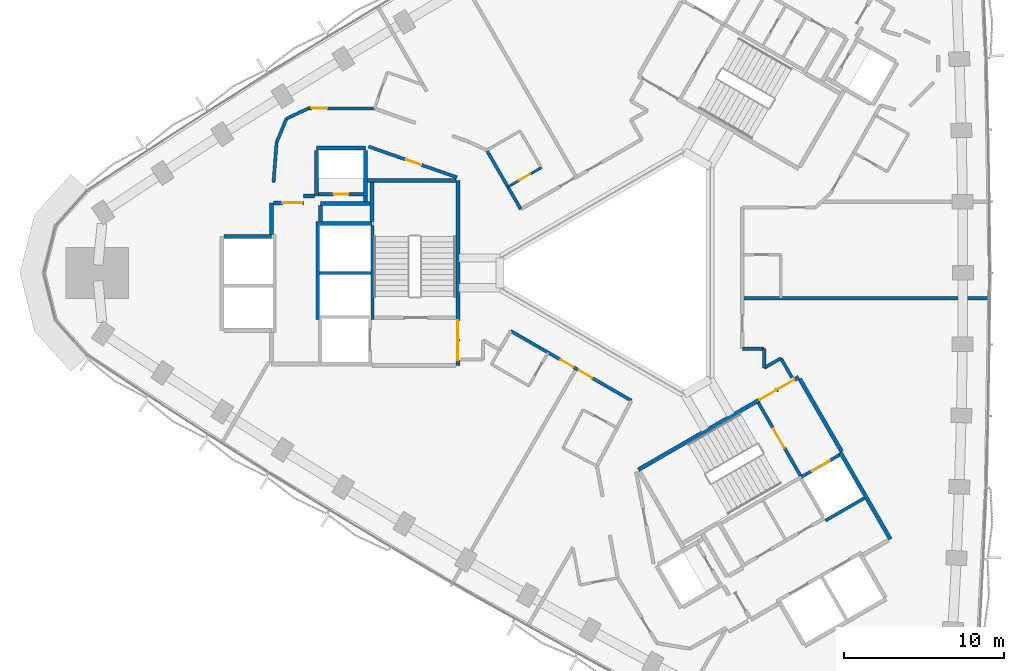
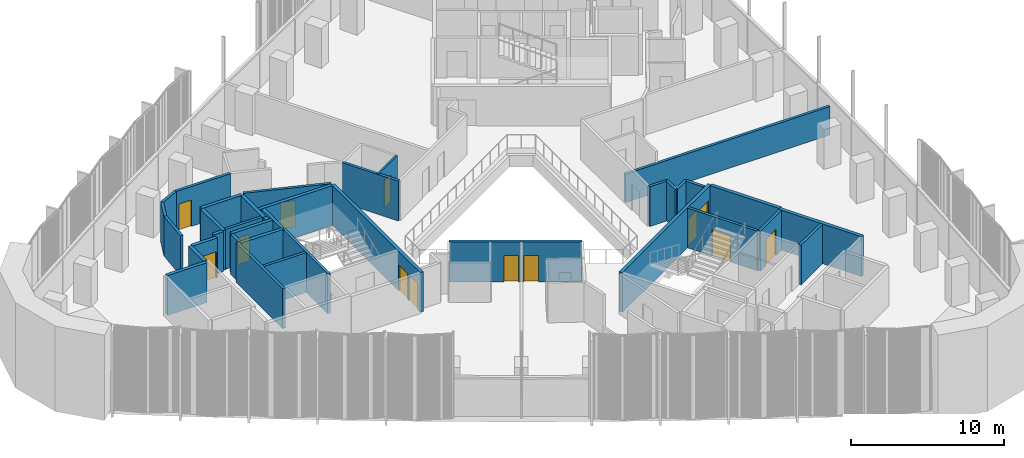
# One storey, part 9 of 15: 37 walls, 13 doors, 13 openings.
"""IFC4 building model written with IfcOpenShell, lengths in metres."""

from ifc_helpers import new_model, si_unit, direction, frame, frame_2d, origin, place, context, subcontext, project, spatial, rectangle, extrude, material, layer, layer_set, type_object, element, fill, save


model = new_model("IFC4")

# Units and contexts
model_context = context("Model", 3, precision=1e-05, world=origin(), true_north=direction((0.0, 1.0)))
body_context = subcontext(model_context, "Body", "Model", "MODEL_VIEW")
ifc_project = project(units=[si_unit("LENGTHUNIT", "METRE"), si_unit("AREAUNIT", "SQUARE_METRE"), si_unit("VOLUMEUNIT", "CUBIC_METRE"), si_unit("PLANEANGLEUNIT", "RADIAN"), si_unit("MASSUNIT", "GRAM", prefix="KILO")], contexts=[model_context])

# Site, building, storey
site_placement = place(None, origin())
site = spatial("IfcSite", under=ifc_project, at=site_placement, CompositionType="ELEMENT")
building_placement = place(site_placement, origin())
building = spatial("IfcBuilding", under=site, at=building_placement, Name="Tamra Quay Hotel Tower", CompositionType="ELEMENT")
storey_placement = place(building_placement, frame((0.0, 0.0, 111.800048828125)))
storey = spatial("IfcBuildingStorey", under=building, at=storey_placement, Name="L27", CompositionType="ELEMENT", Elevation=111.800048828125)

# Walls
ifc_material_1 = material(Name="Concrete M70", Category="concrete")
ifc_layer_1 = layer(ifc_material_1, 0.199951171875)
ifc_layer_set_1 = layer_set([ifc_layer_1], Name="Concrete M70 core wall 200")
wall_type_1 = type_object("IfcWallType", Name="Concrete M70 core wall 200", PredefinedType="SHEAR", material=ifc_layer_set_1)
wall_1_placement = place(storey_placement, frame((-16.162109375, 2.95068359375, 0.0), z_axis=(0.0, 0.0, 1.0), x_axis=(0.0, -1.0, 0.0)))
element("IfcWall", 1, at=wall_1_placement, inside=storey, type_object=wall_type_1, Name="CW2", PredefinedType="SHEAR", context=body_context, shape_type="SweptSolid", body=[
    extrude(rectangle(XDim=5.850830078125, YDim=0.199951171875, at=frame_2d((2.92529296875, 0.0))), origin(), (0.0, 0.0, 1.0), 3.175048828125),
])
wall_2_placement = place(storey_placement, frame((-19.5625, -2.900146484375, 0.0), z_axis=(0.0, 0.0, 1.0), x_axis=(0.0, 1.0, 0.0)))
element("IfcWall", 2, at=wall_2_placement, inside=storey, type_object=wall_type_1, Name="CW2", PredefinedType="SHEAR", context=body_context, shape_type="SweptSolid", body=[
    extrude(rectangle(XDim=6.100341796875, YDim=0.199951171875, at=frame_2d((3.05029296875, 0.0))), origin(), (0.0, 0.0, 1.0), 3.175048828125),
])
wall_3_placement = place(storey_placement, frame((-16.26318359375, 0.0, 0.0), z_axis=(0.0, 0.0, 1.0), x_axis=(-1.0, 0.0, 0.0)))
element("IfcWall", 3, at=wall_3_placement, inside=storey, type_object=wall_type_1, Name="CW2", PredefinedType="SHEAR", context=body_context, shape_type="SweptSolid", body=[
    extrude(rectangle(XDim=3.1982421875, YDim=0.199951171875, at=frame_2d((1.59912109375, 0.0))), origin(), (0.0, 0.0, 1.0), 3.175048828125),
])

# Wall, opening, door
wall_4_placement = place(storey_placement, frame((-19.51123046875, 4.91015625, 0.0), z_axis=(0.0, 0.0, 1.0), x_axis=(1.0, 0.0, 0.0)))
wall_4 = element("IfcWall", 4, at=wall_4_placement, inside=storey, type_object=wall_type_1, Name="CW2", PredefinedType="SHEAR", context=body_context, shape_type="SweptSolid", body=[
    extrude(rectangle(XDim=2.7978515625, YDim=0.199951171875, at=frame_2d((1.39892578125, 0.0))), origin(), (0.0, 0.0, 1.0), 3.175048828125),
])
opening_1_placement = place(wall_4_placement, frame((0.948974609375, 0.0, 0.0)))
opening_1 = element("IfcOpeningElement", 5, at=opening_1_placement, cuts=wall_4, Name="Opening D1", PredefinedType="OPENING", context=body_context, shape_type="SweptSolid", body=[
    extrude(rectangle(XDim=0.89990234375, YDim=2.10009765625, at=frame_2d((0.449951171875, 1.050048828125))), frame((0.0, 0.10986328125, 0.0), z_axis=(0.0, -1.0, 0.0), x_axis=(1.0, 0.0, 0.0)), (0.0, 0.0, 1.0), 0.219970703125),
])
ifc_material_2 = material(Name="Core door D1 900x2100 LH")
door_type_1 = type_object("IfcDoorType", Name="Core door D1 900x2100 LH", OperationType="NOTDEFINED", PredefinedType="DOOR", material=ifc_material_2)
door_1_placement = place(opening_1_placement, origin())
door_1 = element("IfcDoor", 6, at=door_1_placement, inside=storey, type_object=door_type_1, Name="D1", OperationType="SINGLE_SWING_LEFT", OverallHeight=2.10009765625, OverallWidth=0.89990234375, PredefinedType="DOOR", context=body_context, shape_type="SweptSolid", body=[
    extrude(rectangle(XDim=0.89990234375, YDim=2.10009765625, at=frame_2d((0.449951171875, 1.050048828125))), frame((0.0, 0.02490234375, 0.0), z_axis=(0.0, -1.0, 0.0), x_axis=(1.0, 0.0, 0.0)), (0.0, 0.0, 1.0), 0.050048828125),
])
fill(opening_1, door_1)

wall_5_placement = place(storey_placement, frame((7.906494140625, -8.094482421875, 0.0), z_axis=(0.0, 0.0, 1.0), x_axis=(0.500024287448, -0.866011380966, 0.0)))
wall_5 = element("IfcWall", 7, at=wall_5_placement, inside=storey, type_object=wall_type_1, Name="CW2", PredefinedType="SHEAR", context=body_context, shape_type="SweptSolid", body=[
    extrude(rectangle(XDim=5.251220703125, YDim=0.199951171875, at=frame_2d((2.62548828125, 0.0))), origin(), (0.0, 0.0, 1.0), 3.175048828125),
])
opening_2_placement = place(wall_5_placement, frame((1.84912109375, 0.0, 0.0)))
opening_2 = element("IfcOpeningElement", 8, at=opening_2_placement, cuts=wall_5, Name="Opening FD2", PredefinedType="OPENING", context=body_context, shape_type="SweptSolid", body=[
    extrude(rectangle(XDim=1.39990234375, YDim=2.10009765625, at=frame_2d((0.699951171875, 1.050048828125))), frame((0.0, 0.10986328125, 0.0), z_axis=(0.0, -1.0, 0.0), x_axis=(1.0, 0.0, 0.0)), (0.0, 0.0, 1.0), 0.219970703125),
])
ifc_material_3 = material(Name="Core door FD2 1400x2100 LH")
door_type_2 = type_object("IfcDoorType", Name="Core door FD2 1400x2100 LH", OperationType="NOTDEFINED", PredefinedType="DOOR", material=ifc_material_3)
door_2_placement = place(opening_2_placement, origin())
door_2 = element("IfcDoor", 9, at=door_2_placement, inside=storey, type_object=door_type_2, Name="FD2", OperationType="SINGLE_SWING_LEFT", OverallHeight=2.10009765625, OverallWidth=1.39990234375, PredefinedType="DOOR", context=body_context, shape_type="SweptSolid", body=[
    extrude(rectangle(XDim=1.39990234375, YDim=2.10009765625, at=frame_2d((0.699951171875, 1.050048828125))), frame((0.0, 0.02490234375, 0.0), z_axis=(0.0, -1.0, 0.0), x_axis=(1.0, 0.0, 0.0)), (0.0, 0.0, 1.0), 0.050048828125),
])
fill(opening_2, door_2)

wall_6_placement = place(storey_placement, frame((10.587158203125, -12.72314453125, 0.0), z_axis=(0.0, 0.0, 1.0), x_axis=(0.866037306777, 0.499979382845, 0.0)))
wall_6 = element("IfcWall", 10, at=wall_6_placement, inside=storey, type_object=wall_type_1, Name="CW2", PredefinedType="SHEAR", context=body_context, shape_type="SweptSolid", body=[
    extrude(rectangle(XDim=2.74169921875, YDim=0.199951171875, at=frame_2d((1.370849609375, 0.0))), origin(), (0.0, 0.0, 1.0), 3.175048828125),
])
opening_3_placement = place(wall_6_placement, frame((0.742919921875, 0.0, 0.0)))
opening_3 = element("IfcOpeningElement", 11, at=opening_3_placement, cuts=wall_6, Name="Opening LD", PredefinedType="OPENING", context=body_context, shape_type="SweptSolid", body=[
    extrude(rectangle(XDim=1.300048828125, YDim=2.10009765625, at=frame_2d((0.64990234375, 1.050048828125))), frame((0.0, 0.10986328125, 0.0), z_axis=(0.0, -1.0, 0.0), x_axis=(1.0, 0.0, 0.0)), (0.0, 0.0, 1.0), 0.219970703125),
])
ifc_material_4 = material(Name="Landing door LD 1300 sliding to left")
door_type_3 = type_object("IfcDoorType", Name="Landing door LD 1300 sliding to left", OperationType="NOTDEFINED", PredefinedType="DOOR", material=ifc_material_4)
door_3_placement = place(opening_3_placement, origin())
door_3 = element("IfcDoor", 12, at=door_3_placement, inside=storey, type_object=door_type_3, Name="LD", OperationType="SLIDING_TO_LEFT", OverallHeight=2.10009765625, OverallWidth=1.300048828125, PredefinedType="DOOR", context=body_context, shape_type="SweptSolid", body=[
    extrude(rectangle(XDim=1.300048828125, YDim=2.10009765625, at=frame_2d((0.64990234375, 1.050048828125))), frame((0.0, 0.02490234375, 0.0), z_axis=(0.0, -1.0, 0.0), x_axis=(1.0, 0.0, 0.0)), (0.0, 0.0, 1.0), 0.050048828125),
])
fill(opening_3, door_3)

# Wall
wall_7_placement = place(storey_placement, frame((14.51171875, -14.037109375, 0.0), z_axis=(0.0, 0.0, 1.0), x_axis=(-0.866044696403, -0.499966582715, 0.0)))
element("IfcWall", 13, at=wall_7_placement, inside=storey, type_object=wall_type_1, Name="CW2", PredefinedType="SHEAR", context=body_context, shape_type="SweptSolid", body=[
    extrude(rectangle(XDim=2.799072265625, YDim=0.199951171875, at=frame_2d((1.3994140625, 0.0))), origin(), (0.0, 0.0, 1.0), 3.175048828125),
])

# Wall, openings, doors
ifc_layer_2 = layer(ifc_material_1, 0.25)
ifc_layer_set_2 = layer_set([ifc_layer_2], Name="Concrete M70 core wall 250")
wall_type_2 = type_object("IfcWallType", Name="Concrete M70 core wall 250", PredefinedType="SHEAR", material=ifc_layer_set_2)
wall_8_placement = place(storey_placement, frame((-10.83740234375, 5.77490234375, 0.0), z_axis=(0.0, 0.0, 1.0), x_axis=(0.0, -1.0, 0.0)))
wall_8 = element("IfcWall", 14, at=wall_8_placement, inside=storey, type_object=wall_type_2, Name="CW1", PredefinedType="SHEAR", context=body_context, shape_type="SweptSolid", body=[
    extrude(rectangle(XDim=11.5498046875, YDim=0.25, at=frame_2d((5.77490234375, 0.0))), origin(), (0.0, 0.0, 1.0), 3.175048828125),
])
opening_4_placement = place(wall_8_placement, frame((10.02490234375, 0.0, 0.0)))
opening_4 = element("IfcOpeningElement", 15, at=opening_4_placement, cuts=wall_8, Name="Opening FD1", PredefinedType="OPENING", context=body_context, shape_type="SweptSolid", body=[
    extrude(rectangle(XDim=1.199951171875, YDim=2.10009765625, at=frame_2d((0.60009765625, 1.050048828125))), frame((0.0, 0.135009765625, 0.0), z_axis=(0.0, -1.0, 0.0), x_axis=(1.0, 0.0, 0.0)), (0.0, 0.0, 1.0), 0.27001953125),
])
opening_5_placement = place(wall_8_placement, frame((8.72509765625, 0.0, 0.0)))
opening_5 = element("IfcOpeningElement", 16, at=opening_5_placement, cuts=wall_8, Name="Opening FD1", PredefinedType="OPENING", context=body_context, shape_type="SweptSolid", body=[
    extrude(rectangle(XDim=1.199951171875, YDim=2.10009765625, at=frame_2d((0.60009765625, 1.050048828125))), frame((0.0, 0.135009765625, 0.0), z_axis=(0.0, -1.0, 0.0), x_axis=(1.0, 0.0, 0.0)), (0.0, 0.0, 1.0), 0.27001953125),
])
ifc_material_5 = material(Name="Core door FD1 1200x2100 LH")
door_type_4 = type_object("IfcDoorType", Name="Core door FD1 1200x2100 LH", OperationType="NOTDEFINED", PredefinedType="DOOR", material=ifc_material_5)
door_4_placement = place(opening_4_placement, origin())
door_4 = element("IfcDoor", 17, at=door_4_placement, inside=storey, type_object=door_type_4, Name="FD1", OperationType="SINGLE_SWING_LEFT", OverallHeight=2.10009765625, OverallWidth=1.199951171875, PredefinedType="DOOR", context=body_context, shape_type="SweptSolid", body=[
    extrude(rectangle(XDim=1.199951171875, YDim=2.10009765625, at=frame_2d((0.60009765625, 1.050048828125))), frame((0.0, 0.02490234375, 0.0), z_axis=(0.0, -1.0, 0.0), x_axis=(1.0, 0.0, 0.0)), (0.0, 0.0, 1.0), 0.050048828125),
])
fill(opening_4, door_4)
ifc_material_6 = material(Name="Core door FD1 1200x2100 RH")
door_type_5 = type_object("IfcDoorType", Name="Core door FD1 1200x2100 RH", OperationType="NOTDEFINED", PredefinedType="DOOR", material=ifc_material_6)
door_5_placement = place(opening_5_placement, origin())
door_5 = element("IfcDoor", 18, at=door_5_placement, inside=storey, type_object=door_type_5, Name="FD1", OperationType="SINGLE_SWING_RIGHT", OverallHeight=2.10009765625, OverallWidth=1.199951171875, PredefinedType="DOOR", context=body_context, shape_type="SweptSolid", body=[
    extrude(rectangle(XDim=1.199951171875, YDim=2.10009765625, at=frame_2d((0.60009765625, 1.050048828125))), frame((0.0, 0.02490234375, 0.0), z_axis=(0.0, -1.0, 0.0), x_axis=(1.0, 0.0, 0.0)), (0.0, 0.0, 1.0), 0.050048828125),
])
fill(opening_5, door_5)

# Walls
wall_9_placement = place(storey_placement, frame((-16.47216796875, 5.77490234375, 0.0), z_axis=(0.0, 0.0, 1.0), x_axis=(1.0, 0.0, 0.0)))
element("IfcWall", 19, at=wall_9_placement, inside=storey, type_object=wall_type_2, Name="CW1", PredefinedType="SHEAR", context=body_context, shape_type="SweptSolid", body=[
    extrude(rectangle(XDim=5.509521484375, YDim=0.25, at=frame_2d((2.7548828125, 0.0))), origin(), (0.0, 0.0, 1.0), 3.175048828125),
])
wall_10_placement = place(storey_placement, frame((-19.38720703125, 3.074951171875, 0.0), z_axis=(0.0, 0.0, 1.0), x_axis=(1.0, 0.0, 0.0)))
element("IfcWall", 20, at=wall_10_placement, inside=storey, type_object=wall_type_2, Name="CW1", PredefinedType="SHEAR", context=body_context, shape_type="SweptSolid", body=[
    extrude(rectangle(XDim=3.199951171875, YDim=0.25, at=frame_2d((1.60009765625, 0.0))), origin(), (0.0, 0.0, 1.0), 3.175048828125),
])
wall_11_placement = place(storey_placement, frame((-25.411865234375, 2.27490234375, 0.0), z_axis=(0.0, 0.0, 1.0), x_axis=(1.0, 0.0, 0.0)))
element("IfcWall", 21, at=wall_11_placement, inside=storey, type_object=wall_type_2, Name="CW1", PredefinedType="SHEAR", context=body_context, shape_type="SweptSolid", body=[
    extrude(rectangle(XDim=2.974609375, YDim=0.25, at=frame_2d((1.4873046875, 0.0))), origin(), (0.0, 0.0, 1.0), 3.175048828125),
])
wall_12_placement = place(storey_placement, frame((-19.63720703125, 7.77490234375, 0.0), z_axis=(0.0, 0.0, 1.0), x_axis=(1.0, 0.0, 0.0)))
element("IfcWall", 22, at=wall_12_placement, inside=storey, type_object=wall_type_2, Name="CW1", PredefinedType="SHEAR", context=body_context, shape_type="SweptSolid", body=[
    extrude(rectangle(XDim=3.0498046875, YDim=0.25, at=frame_2d((1.52490234375, 0.0))), origin(), (0.0, 0.0, 1.0), 3.175048828125),
])
for number, where, z_axis, x_axis, name in (
    (23, (-16.58740234375, 7.649658203125, 0.0), (0.0, 0.0, 1.0), (0.0, -1.0, 0.0), "CW1"),
    (24, (-19.63720703125, 4.784912109375, 0.0), (0.0, 0.0, 1.0), (0.0, 1.0, 0.0), "CW1"),
):
    element("IfcWall", number, at=place(storey_placement, frame(where, z_axis=z_axis, x_axis=x_axis)), inside=storey, type_object=wall_type_2, Name=name, PredefinedType="SHEAR", context=body_context, shape_type="SweptSolid", body=[
        extrude(rectangle(XDim=2.86474609375, YDim=0.25, at=frame_2d((1.432373046875, 0.0))), origin(), (0.0, 0.0, 1.0), 3.175048828125),
    ])
wall_13_placement = place(storey_placement, frame((-16.30224609375, 4.31494140625, 0.0), z_axis=(0.0, 0.0, 1.0), x_axis=(-1.0, 0.0, 0.0)))
element("IfcWall", 25, at=wall_13_placement, inside=storey, type_object=wall_type_2, Name="CW1", PredefinedType="SHEAR", context=body_context, shape_type="SweptSolid", body=[
    extrude(rectangle(XDim=3.0849609375, YDim=0.25, at=frame_2d((1.54248046875, 0.0))), origin(), (0.0, 0.0, 1.0), 3.175048828125),
])
wall_14_placement = place(storey_placement, frame((-16.187255859375, 3.200439453125, 0.0), z_axis=(0.0, 0.0, 1.0), x_axis=(0.0, 1.0, 0.0)))
element("IfcWall", 26, at=wall_14_placement, inside=storey, type_object=wall_type_2, Name="CW1", PredefinedType="SHEAR", context=body_context, shape_type="SweptSolid", body=[
    extrude(rectangle(XDim=2.44921875, YDim=0.25, at=frame_2d((1.224609375, 0.0))), origin(), (0.0, 0.0, 1.0), 3.175048828125),
])
wall_15_placement = place(storey_placement, frame((-22.437255859375, 2.400390625, 0.0), z_axis=(0.0, 0.0, 1.0), x_axis=(0.0, 1.0, 0.0)))
element("IfcWall", 27, at=wall_15_placement, inside=storey, type_object=wall_type_2, Name="CW1", PredefinedType="SHEAR", context=body_context, shape_type="SweptSolid", body=[
    extrude(rectangle(XDim=1.974609375, YDim=0.25, at=frame_2d((0.9873046875, 0.0))), origin(), (0.0, 0.0, 1.0), 3.175048828125),
])

# Wall, opening, door
wall_16_placement = place(storey_placement, frame((-22.311767578125, 4.375, 0.0), z_axis=(0.0, 0.0, 1.0), x_axis=(1.0, 0.0, 0.0)))
wall_16 = element("IfcWall", 28, at=wall_16_placement, inside=storey, type_object=wall_type_2, Name="CW1", PredefinedType="SHEAR", context=body_context, shape_type="SweptSolid", body=[
    extrude(rectangle(XDim=1.864501953125, YDim=0.25, at=frame_2d((0.93212890625, 0.0))), origin(), (0.0, 0.0, 1.0), 3.175048828125),
])
opening_6_placement = place(wall_16_placement, frame((0.53466796875, 0.0, 0.0)))
opening_6 = element("IfcOpeningElement", 29, at=opening_6_placement, cuts=wall_16, Name="Opening FD3", PredefinedType="OPENING", context=body_context, shape_type="SweptSolid", body=[
    extrude(rectangle(XDim=1.25, YDim=2.10009765625, at=frame_2d((0.625, 1.050048828125))), frame((0.0, 0.135009765625, 0.0), z_axis=(0.0, -1.0, 0.0), x_axis=(1.0, 0.0, 0.0)), (0.0, 0.0, 1.0), 0.27001953125),
])
ifc_material_7 = material(Name="Core door FD3 1250x2100 LH")
door_type_6 = type_object("IfcDoorType", Name="Core door FD3 1250x2100 LH", OperationType="NOTDEFINED", PredefinedType="DOOR", material=ifc_material_7)
door_6_placement = place(opening_6_placement, origin())
door_6 = element("IfcDoor", 30, at=door_6_placement, inside=storey, type_object=door_type_6, Name="FD3", OperationType="SINGLE_SWING_LEFT", OverallHeight=2.10009765625, OverallWidth=1.25, PredefinedType="DOOR", context=body_context, shape_type="SweptSolid", body=[
    extrude(rectangle(XDim=1.25, YDim=2.10009765625, at=frame_2d((0.625, 1.050048828125))), frame((0.0, 0.02490234375, 0.0), z_axis=(0.0, -1.0, 0.0), x_axis=(1.0, 0.0, 0.0)), (0.0, 0.0, 1.0), 0.050048828125),
])
fill(opening_6, door_6)

# Walls
wall_17_placement = place(storey_placement, frame((-19.38720703125, 4.189697265625, 0.0), z_axis=(0.0, 0.0, 1.0), x_axis=(0.0, -1.0, 0.0)))
element("IfcWall", 31, at=wall_17_placement, inside=storey, type_object=wall_type_2, Name="CW1", PredefinedType="SHEAR", context=body_context, shape_type="SweptSolid", body=[
    extrude(rectangle(XDim=0.9892578125, YDim=0.25, at=frame_2d((0.49462890625, 0.0))), origin(), (0.0, 0.0, 1.0), 3.175048828125),
])
wall_18_placement = place(storey_placement, frame((-20.447265625, 4.784912109375, 0.0), z_axis=(0.0, 0.0, 1.0), x_axis=(1.0, 0.0, 0.0)))
element("IfcWall", 32, at=wall_18_placement, inside=storey, type_object=wall_type_2, Name="CW1", PredefinedType="SHEAR", context=body_context, shape_type="SweptSolid", body=[
    extrude(rectangle(XDim=0.6845703125, YDim=0.25, at=frame_2d((0.34228515625, 0.0))), origin(), (0.0, 0.0, 1.0), 3.175048828125),
])
wall_19_placement = place(storey_placement, frame((-16.577392578125, 4.784912109375, 0.0), z_axis=(0.0, 0.0, 1.0), x_axis=(0.0, -1.0, 0.0)))
element("IfcWall", 33, at=wall_19_placement, inside=storey, type_object=wall_type_2, Name="CW1", PredefinedType="SHEAR", context=body_context, shape_type="SweptSolid", body=[
    extrude(rectangle(XDim=0.344482421875, YDim=0.25, at=frame_2d((0.17236328125, 0.0))), origin(), (0.0, 0.0, 1.0), 3.175048828125),
])

# Wall, openings, doors
wall_20_placement = place(storey_placement, frame((0.417236328125, -12.27294921875, 0.0), z_axis=(0.0, 0.0, 1.0), x_axis=(0.866021906294, 0.500006057782, 0.0)))
wall_20 = element("IfcWall", 34, at=wall_20_placement, inside=storey, type_object=wall_type_2, Name="CW1", PredefinedType="SHEAR", context=body_context, shape_type="SweptSolid", body=[
    extrude(rectangle(XDim=11.550048828125, YDim=0.25, at=frame_2d((5.77490234375, 0.0))), origin(), (0.0, 0.0, 1.0), 3.175048828125),
])
opening_7_placement = place(wall_20_placement, frame((10.024658203125, 0.0, 0.0)))
opening_7 = element("IfcOpeningElement", 35, at=opening_7_placement, cuts=wall_20, Name="Opening FD1", PredefinedType="OPENING", context=body_context, shape_type="SweptSolid", body=[
    extrude(rectangle(XDim=1.199951171875, YDim=2.10009765625, at=frame_2d((0.60009765625, 1.050048828125))), frame((0.0, 0.135009765625, 0.0), z_axis=(0.0, -1.0, 0.0), x_axis=(1.0, 0.0, 0.0)), (0.0, 0.0, 1.0), 0.27001953125),
])
opening_8_placement = place(wall_20_placement, frame((8.724609375, 0.0, 0.0)))
opening_8 = element("IfcOpeningElement", 36, at=opening_8_placement, cuts=wall_20, Name="Opening FD1", PredefinedType="OPENING", context=body_context, shape_type="SweptSolid", body=[
    extrude(rectangle(XDim=1.199951171875, YDim=2.10009765625, at=frame_2d((0.60009765625, 1.050048828125))), frame((0.0, 0.135009765625, 0.0), z_axis=(0.0, -1.0, 0.0), x_axis=(1.0, 0.0, 0.0)), (0.0, 0.0, 1.0), 0.27001953125),
])
door_7_placement = place(opening_7_placement, origin())
door_7 = element("IfcDoor", 37, at=door_7_placement, inside=storey, type_object=door_type_4, Name="FD1", OperationType="SINGLE_SWING_LEFT", OverallHeight=2.10009765625, OverallWidth=1.199951171875, PredefinedType="DOOR", context=body_context, shape_type="SweptSolid", body=[
    extrude(rectangle(XDim=1.199951171875, YDim=2.10009765625, at=frame_2d((0.60009765625, 1.050048828125))), frame((0.0, 0.02490234375, 0.0), z_axis=(0.0, -1.0, 0.0), x_axis=(1.0, 0.0, 0.0)), (0.0, 0.0, 1.0), 0.050048828125),
])
fill(opening_7, door_7)
door_8_placement = place(opening_8_placement, origin())
door_8 = element("IfcDoor", 38, at=door_8_placement, inside=storey, type_object=door_type_5, Name="FD1", OperationType="SINGLE_SWING_RIGHT", OverallHeight=2.10009765625, OverallWidth=1.199951171875, PredefinedType="DOOR", context=body_context, shape_type="SweptSolid", body=[
    extrude(rectangle(XDim=1.199951171875, YDim=2.10009765625, at=frame_2d((0.60009765625, 1.050048828125))), frame((0.0, 0.02490234375, 0.0), z_axis=(0.0, -1.0, 0.0), x_axis=(1.0, 0.0, 0.0)), (0.0, 0.0, 1.0), 0.050048828125),
])
fill(opening_8, door_8)

# Walls
wall_21_placement = place(storey_placement, frame((13.00830078125, -11.18115234375, 0.0), z_axis=(0.0, 0.0, 1.0), x_axis=(0.500004234368, -0.866022959057, 0.0)))
element("IfcWall", 39, at=wall_21_placement, inside=storey, type_object=wall_type_2, Name="CW1", PredefinedType="SHEAR", context=body_context, shape_type="SweptSolid", body=[
    extrude(rectangle(XDim=6.25, YDim=0.25, at=frame_2d((3.125, 0.0))), origin(), (0.0, 0.0, 1.0), 3.175048828125),
])
wall_22_placement = place(storey_placement, frame((10.482666015625, -6.6064453125, 0.0), z_axis=(0.0, 0.0, 1.0), x_axis=(0.49999885962, -0.866026062182, 0.0)))
element("IfcWall", 40, at=wall_22_placement, inside=storey, type_object=wall_type_2, Name="CW1", PredefinedType="SHEAR", context=body_context, shape_type="SweptSolid", body=[
    extrude(rectangle(XDim=5.224609375, YDim=0.25, at=frame_2d((2.6123046875, 0.0))), origin(), (0.0, 0.0, 1.0), 3.175048828125),
])
ifc_material_8 = material(Name="Partition corridor wall")
ifc_layer_3 = layer(ifc_material_8, 0.199951171875)
ifc_layer_set_3 = layer_set([ifc_layer_3], Name="Partition corridor wall")
wall_type_3 = type_object("IfcWallType", Name="Partition corridor wall", PredefinedType="PARTITIONING", material=ifc_layer_set_3)
wall_23_placement = place(storey_placement, frame((-22.135009765625, 8.1298828125, 0.0), z_axis=(0.0, 0.0, 1.0), x_axis=(-0.076073461031, -0.997102215686, 0.0)))
element("IfcWall", 41, at=wall_23_placement, inside=storey, type_object=wall_type_3, Name="W-C", PredefinedType="PARTITIONING", context=body_context, shape_type="SweptSolid", body=[
    extrude(rectangle(XDim=2.4873046875, YDim=0.199951171875, at=frame_2d((1.24365234375, 0.0))), origin(), (0.0, 0.0, 1.0), 3.175048828125),
])
wall_24_placement = place(storey_placement, frame((-22.135009765625, 8.134033203125, 0.0), z_axis=(0.0, 0.0, 1.0), x_axis=(0.383208453534, 0.923661886807, 0.0)))
element("IfcWall", 42, at=wall_24_placement, inside=storey, type_object=wall_type_3, Name="W-C", PredefinedType="PARTITIONING", context=body_context, shape_type="SweptSolid", body=[
    extrude(rectangle(XDim=1.602294921875, YDim=0.199951171875, at=frame_2d((0.80126953125, 0.0))), origin(), (0.0, 0.0, 1.0), 3.175048828125),
])
wall_25_placement = place(storey_placement, frame((-21.52099609375, 9.614013671875, 0.0), z_axis=(0.0, 0.0, 1.0), x_axis=(0.904083527367, 0.427355795028, 0.0)))
element("IfcWall", 43, at=wall_25_placement, inside=storey, type_object=wall_type_3, Name="W-C", PredefinedType="PARTITIONING", context=body_context, shape_type="SweptSolid", body=[
    extrude(rectangle(XDim=1.52294921875, YDim=0.199951171875, at=frame_2d((0.761474609375, 0.0))), origin(), (0.0, 0.0, 1.0), 3.175048828125),
])

# Wall, opening, door
wall_26_placement = place(storey_placement, frame((-20.14306640625, 10.26611328125, 0.0), z_axis=(0.0, 0.0, 1.0), x_axis=(0.999989297417, -0.004626559416, 0.0)))
wall_26 = element("IfcWall", 44, at=wall_26_placement, inside=storey, type_object=wall_type_3, Name="W-C", PredefinedType="PARTITIONING", context=body_context, shape_type="SweptSolid", body=[
    extrude(rectangle(XDim=4.115966796875, YDim=0.199951171875, at=frame_2d((2.05810546875, 0.0))), origin(), (0.0, 0.0, 1.0), 3.175048828125),
])
opening_9_placement = place(wall_26_placement, frame((0.216064453125, 0.0, 0.0)))
opening_9 = element("IfcOpeningElement", 45, at=opening_9_placement, cuts=wall_26, Name="Opening L27-D010", PredefinedType="OPENING", context=body_context, shape_type="SweptSolid", body=[
    extrude(rectangle(XDim=0.949951171875, YDim=2.10009765625, at=frame_2d((0.47509765625, 1.050048828125))), frame((0.0, 0.10986328125, 0.0), z_axis=(0.0, -1.0, 0.0), x_axis=(1.0, 0.0, 0.0)), (0.0, 0.0, 1.0), 0.219970703125),
])
ifc_material_9 = material(Name="Door guest room 950x2100")
door_type_7 = type_object("IfcDoorType", Name="Door guest room 950x2100", OperationType="NOTDEFINED", PredefinedType="DOOR", material=ifc_material_9)
door_9_placement = place(opening_9_placement, frame((0.949951171875, 0.0, 0.0), z_axis=(0.0, 0.0, 1.0), x_axis=(-1.0, 0.0, 0.0)))
door_9 = element("IfcDoor", 46, at=door_9_placement, inside=storey, type_object=door_type_7, Name="L27-D010", OperationType="SINGLE_SWING_LEFT", OverallHeight=2.10009765625, OverallWidth=0.949951171875, PredefinedType="DOOR", context=body_context, shape_type="SweptSolid", body=[
    extrude(rectangle(XDim=0.949951171875, YDim=2.10009765625, at=frame_2d((0.47509765625, 1.050048828125))), frame((0.0, 0.02490234375, 0.0), z_axis=(0.0, -1.0, 0.0), x_axis=(1.0, 0.0, 0.0)), (0.0, 0.0, 1.0), 0.050048828125),
])
fill(opening_9, door_9)

wall_27_placement = place(storey_placement, frame((-16.40234375, 7.879150390625, 0.0), z_axis=(0.0, 0.0, 1.0), x_axis=(0.94449961557, -0.328512520596, 0.0)))
wall_27 = element("IfcWall", 47, at=wall_27_placement, inside=storey, type_object=wall_type_3, Name="W-C", PredefinedType="PARTITIONING", context=body_context, shape_type="SweptSolid", body=[
    extrude(rectangle(XDim=5.842041015625, YDim=0.199951171875, at=frame_2d((2.9208984375, 0.0))), origin(), (0.0, 0.0, 1.0), 3.175048828125),
])
opening_10_placement = place(wall_27_placement, frame((2.47900390625, 0.0, 0.0)))
opening_10 = element("IfcOpeningElement", 48, at=opening_10_placement, cuts=wall_27, Name="Opening L27-D009", PredefinedType="OPENING", context=body_context, shape_type="SweptSolid", body=[
    extrude(rectangle(XDim=1.0, YDim=2.10009765625, at=frame_2d((0.5, 1.050048828125))), frame((0.0, 0.10986328125, 0.0), z_axis=(0.0, -1.0, 0.0), x_axis=(1.0, 0.0, 0.0)), (0.0, 0.0, 1.0), 0.219970703125),
])
ifc_material_10 = material(Name="Door guest room 1000x2100")
door_type_8 = type_object("IfcDoorType", Name="Door guest room 1000x2100", OperationType="NOTDEFINED", PredefinedType="DOOR", material=ifc_material_10)
door_10_placement = place(opening_10_placement, frame((1.0, 0.0, 0.0), z_axis=(0.0, 0.0, 1.0), x_axis=(-1.0, 0.0, 0.0)))
door_10 = element("IfcDoor", 49, at=door_10_placement, inside=storey, type_object=door_type_8, Name="L27-D009", OperationType="SINGLE_SWING_LEFT", OverallHeight=2.10009765625, OverallWidth=1.0, PredefinedType="DOOR", context=body_context, shape_type="SweptSolid", body=[
    extrude(rectangle(XDim=1.0, YDim=2.10009765625, at=frame_2d((0.5, 1.050048828125))), frame((0.0, 0.02490234375, 0.0), z_axis=(0.0, -1.0, 0.0), x_axis=(1.0, 0.0, 0.0)), (0.0, 0.0, 1.0), 0.050048828125),
])
fill(opening_10, door_10)

# Wall
wall_28_placement = place(storey_placement, frame((-9.032958984375, 7.652099609375, 0.0), z_axis=(0.0, 0.0, 1.0), x_axis=(0.500049463259, -0.865996844275, 0.0)))
element("IfcWall", 50, at=wall_28_placement, inside=storey, type_object=wall_type_3, Name="W-C", PredefinedType="PARTITIONING", context=body_context, shape_type="SweptSolid", body=[
    extrude(rectangle(XDim=4.24365234375, YDim=0.199951171875, at=frame_2d((2.121826171875, 0.0))), origin(), (0.0, 0.0, 1.0), 3.175048828125),
])

# Wall, openings, doors
wall_29_placement = place(storey_placement, frame((-7.539306640625, -3.615478515625, 0.0), z_axis=(0.0, 0.0, 1.0), x_axis=(0.866038665277, -0.499977029717, 0.0)))
wall_29 = element("IfcWall", 51, at=wall_29_placement, inside=storey, type_object=wall_type_3, Name="W-C", PredefinedType="PARTITIONING", context=body_context, shape_type="SweptSolid", body=[
    extrude(rectangle(XDim=8.68896484375, YDim=0.199951171875, at=frame_2d((4.344482421875, 0.0))), origin(), (0.0, 0.0, 1.0), 3.175048828125),
])
opening_11_placement = place(wall_29_placement, frame((3.583251953125, 0.0, 0.0)))
opening_11 = element("IfcOpeningElement", 52, at=opening_11_placement, cuts=wall_29, Name="Opening L27-D012", PredefinedType="OPENING", context=body_context, shape_type="SweptSolid", body=[
    extrude(rectangle(XDim=0.949951171875, YDim=2.10009765625, at=frame_2d((0.47509765625, 1.050048828125))), frame((0.0, 0.10986328125, 0.0), z_axis=(0.0, -1.0, 0.0), x_axis=(1.0, 0.0, 0.0)), (0.0, 0.0, 1.0), 0.219970703125),
])
opening_12_placement = place(wall_29_placement, frame((4.909912109375, 0.0, 0.0)))
opening_12 = element("IfcOpeningElement", 53, at=opening_12_placement, cuts=wall_29, Name="Opening L27-D014", PredefinedType="OPENING", context=body_context, shape_type="SweptSolid", body=[
    extrude(rectangle(XDim=0.949951171875, YDim=2.10009765625, at=frame_2d((0.47509765625, 1.050048828125))), frame((0.0, 0.10986328125, 0.0), z_axis=(0.0, -1.0, 0.0), x_axis=(1.0, 0.0, 0.0)), (0.0, 0.0, 1.0), 0.219970703125),
])
door_11_placement = place(opening_11_placement, frame((0.949951171875, 0.0, 0.0), z_axis=(0.0, 0.0, 1.0), x_axis=(-1.0, 0.0, 0.0)))
door_11 = element("IfcDoor", 54, at=door_11_placement, inside=storey, type_object=door_type_7, Name="L27-D012", OperationType="SINGLE_SWING_LEFT", OverallHeight=2.10009765625, OverallWidth=0.949951171875, PredefinedType="DOOR", context=body_context, shape_type="SweptSolid", body=[
    extrude(rectangle(XDim=0.949951171875, YDim=2.10009765625, at=frame_2d((0.47509765625, 1.050048828125))), frame((0.0, 0.02490234375, 0.0), z_axis=(0.0, -1.0, 0.0), x_axis=(1.0, 0.0, 0.0)), (0.0, 0.0, 1.0), 0.050048828125),
])
fill(opening_11, door_11)
door_12_placement = place(opening_12_placement, frame((0.949951171875, 0.0, 0.0), z_axis=(0.0, 0.0, 1.0), x_axis=(-1.0, 0.0, 0.0)))
door_12 = element("IfcDoor", 55, at=door_12_placement, inside=storey, type_object=door_type_7, Name="L27-D014", OperationType="SINGLE_SWING_LEFT", OverallHeight=2.10009765625, OverallWidth=0.949951171875, PredefinedType="DOOR", context=body_context, shape_type="SweptSolid", body=[
    extrude(rectangle(XDim=0.949951171875, YDim=2.10009765625, at=frame_2d((0.47509765625, 1.050048828125))), frame((0.0, 0.02490234375, 0.0), z_axis=(0.0, -1.0, 0.0), x_axis=(1.0, 0.0, 0.0)), (0.0, 0.0, 1.0), 0.050048828125),
])
fill(opening_12, door_12)

# Walls
wall_30_placement = place(storey_placement, frame((6.89990234375, -4.720947265625, 0.0), z_axis=(0.0, 0.0, 1.0), x_axis=(1.0, 0.0, 0.0)))
element("IfcWall", 56, at=wall_30_placement, inside=storey, type_object=wall_type_3, Name="W-C", PredefinedType="PARTITIONING", context=body_context, shape_type="SweptSolid", body=[
    extrude(rectangle(XDim=1.3681640625, YDim=0.199951171875, at=frame_2d((0.68408203125, 0.0))), origin(), (0.0, 0.0, 1.0), 3.175048828125),
])
wall_31_placement = place(storey_placement, frame((8.26806640625, -5.9208984375, 0.0), z_axis=(0.0, 0.0, 1.0), x_axis=(0.0, 1.0, 0.0)))
element("IfcWall", 57, at=wall_31_placement, inside=storey, type_object=wall_type_3, Name="W-C", PredefinedType="PARTITIONING", context=body_context, shape_type="SweptSolid", body=[
    extrude(rectangle(XDim=1.199951171875, YDim=0.199951171875, at=frame_2d((0.60009765625, 0.0))), origin(), (0.0, 0.0, 1.0), 3.175048828125),
])
wall_32_placement = place(storey_placement, frame((8.26806640625, -5.9208984375, 0.0), z_axis=(0.0, 0.0, 1.0), x_axis=(0.866344856625, 0.499446282797, 0.0)))
element("IfcWall", 58, at=wall_32_placement, inside=storey, type_object=wall_type_3, Name="W-C", PredefinedType="PARTITIONING", context=body_context, shape_type="SweptSolid", body=[
    extrude(rectangle(XDim=1.198974609375, YDim=0.199951171875, at=frame_2d((0.599609375, 0.0))), origin(), (0.0, 0.0, 1.0), 3.175048828125),
])
wall_33_placement = place(storey_placement, frame((9.306884765625, -5.322021484375, 0.0), z_axis=(0.0, 0.0, 1.0), x_axis=(0.500295157811, -0.865854927266, 0.0)))
element("IfcWall", 59, at=wall_33_placement, inside=storey, type_object=wall_type_3, Name="W-C", PredefinedType="PARTITIONING", context=body_context, shape_type="SweptSolid", body=[
    extrude(rectangle(XDim=1.389892578125, YDim=0.199951171875, at=frame_2d((0.69482421875, 0.0))), origin(), (0.0, 0.0, 1.0), 3.175048828125),
])

# Wall, opening, door
ifc_material_11 = material(Name="Partition en-suite wall")
ifc_layer_4 = layer(ifc_material_11, 0.14990234375)
ifc_layer_set_4 = layer_set([ifc_layer_4], Name="Partition en-suite wall")
wall_type_4 = type_object("IfcWallType", Name="Partition en-suite wall", PredefinedType="PARTITIONING", material=ifc_layer_set_4)
wall_34_placement = place(storey_placement, frame((-7.7109375, 5.363037109375, 0.0), z_axis=(0.0, 0.0, 1.0), x_axis=(0.865973769406, 0.500089422704, 0.0)))
wall_34 = element("IfcWall", 60, at=wall_34_placement, inside=storey, type_object=wall_type_4, Name="W-E", PredefinedType="PARTITIONING", context=body_context, shape_type="SweptSolid", body=[
    extrude(rectangle(XDim=2.3994140625, YDim=0.14990234375, at=frame_2d((1.19970703125, 0.0))), origin(), (0.0, 0.0, 1.0), 3.175048828125),
])
opening_13_placement = place(wall_34_placement, frame((0.7998046875, 0.0, 0.0)))
opening_13 = element("IfcOpeningElement", 61, at=opening_13_placement, cuts=wall_34, Name="Opening L27-D008", PredefinedType="OPENING", context=body_context, shape_type="SweptSolid", body=[
    extrude(rectangle(XDim=0.800048828125, YDim=2.10009765625, at=frame_2d((0.39990234375, 1.050048828125))), frame((0.0, 0.0849609375, 0.0), z_axis=(0.0, -1.0, 0.0), x_axis=(1.0, 0.0, 0.0)), (0.0, 0.0, 1.0), 0.169921875),
])
ifc_material_12 = material(Name="Door en-suite 800x2100")
door_type_9 = type_object("IfcDoorType", Name="Door en-suite 800x2100", OperationType="NOTDEFINED", PredefinedType="DOOR", material=ifc_material_12)
door_13_placement = place(opening_13_placement, origin())
door_13 = element("IfcDoor", 62, at=door_13_placement, inside=storey, type_object=door_type_9, Name="L27-D008", OperationType="SINGLE_SWING_LEFT", OverallHeight=2.10009765625, OverallWidth=0.800048828125, PredefinedType="DOOR", context=body_context, shape_type="SweptSolid", body=[
    extrude(rectangle(XDim=0.800048828125, YDim=2.10009765625, at=frame_2d((0.39990234375, 1.050048828125))), frame((0.0, 0.02490234375, 0.0), z_axis=(0.0, -1.0, 0.0), x_axis=(1.0, 0.0, 0.0)), (0.0, 0.0, 1.0), 0.050048828125),
])
fill(opening_13, door_13)

# Wall
ifc_material_13 = material(Name="Partition party wall")
ifc_layer_5 = layer(ifc_material_13, 0.199951171875)
ifc_layer_set_5 = layer_set([ifc_layer_5], Name="Partition party wall")
wall_type_5 = type_object("IfcWallType", Name="Partition party wall", PredefinedType="PARTITIONING", material=ifc_layer_set_5)
wall_35_placement = place(storey_placement, frame((6.90087890625, -1.572998046875, 0.0), z_axis=(0.0, 0.0, 1.0), x_axis=(1.0, 0.0, 0.0)))
element("IfcWall", 63, at=wall_35_placement, inside=storey, type_object=wall_type_5, Name="W-P", PredefinedType="PARTITIONING", context=body_context, shape_type="SweptSolid", body=[
    extrude(rectangle(XDim=15.418212890625, YDim=0.199951171875, at=frame_2d((7.708984375, 0.0))), origin(), (0.0, 0.0, 1.0), 2.27490234375),
])

save(model, "model.ifc")
